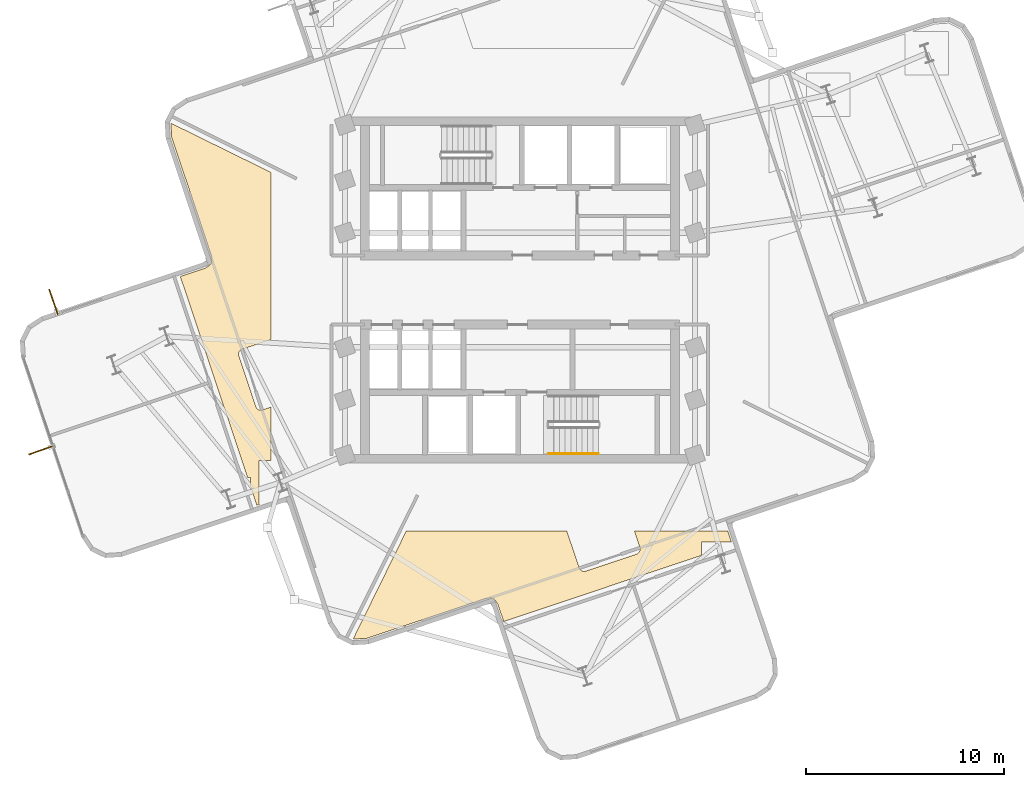
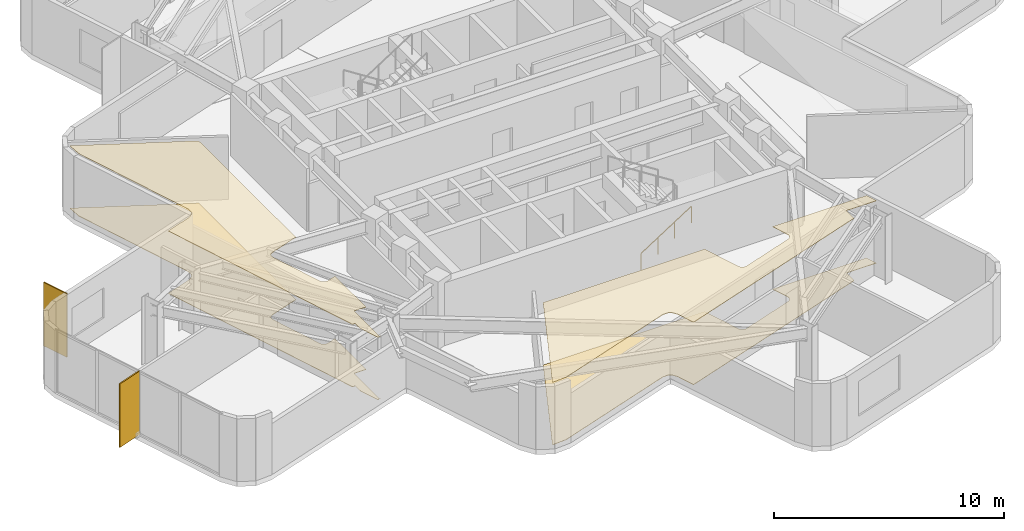
# One storey, part 10 of 12: 4 coverings, 2 shading devices, 1 railing.
"""IFC4 building model written with IfcOpenShell, lengths in metres."""

from ifc_helpers import new_model, si_unit, direction, frame, origin, origin_2d, place, context, subcontext, project, spatial, polyline, rectangle, circle, outline, extrude, material, layer, layer_set, type_object, element, save


model = new_model("IFC4")

# Units and contexts
model_context = context("Model", 3, precision=1e-05, world=origin(), true_north=direction((0.0, 1.0)))
body_context = subcontext(model_context, "Body", "Model", "MODEL_VIEW")
ifc_project = project(units=[si_unit("LENGTHUNIT", "METRE"), si_unit("AREAUNIT", "SQUARE_METRE"), si_unit("VOLUMEUNIT", "CUBIC_METRE"), si_unit("PLANEANGLEUNIT", "RADIAN"), si_unit("MASSUNIT", "GRAM", prefix="KILO")], contexts=[model_context])

# Site, building, storey
site_placement = place(None, origin())
site = spatial("IfcSite", under=ifc_project, at=site_placement, CompositionType="ELEMENT")
building_placement = place(site_placement, origin())
building = spatial("IfcBuilding", under=site, at=building_placement, Name="Solmarez Civic Tower", CompositionType="ELEMENT")
storey_placement = place(building_placement, frame((0.0, 0.0, 163.080078125)))
storey = spatial("IfcBuildingStorey", under=building, at=storey_placement, Name="L43", CompositionType="ELEMENT", Elevation=163.080078125)

# Coverings
ifc_material_1 = material(Name="Perforated Mineral-Fibre Acoustic Ceiling")
ifc_layer_1 = layer(ifc_material_1, 0.02490234375)
ifc_layer_set_1 = layer_set([ifc_layer_1], Name="Perforated Mineral-Fibre Acoustic Ceiling")
covering_type_1 = type_object("IfcCoveringType", Name="COV-CEIL-ACOUSTIC", PredefinedType="CEILING", material=ifc_layer_set_1)
covering_1_placement = place(storey_placement, frame((0.0, 0.0, 3.31494140625)))
element("IfcCovering", 1, at=covering_1_placement, inside=storey, type_object=covering_type_1, Name="L43 Suspended Acoustic Ceiling 2", PredefinedType="CEILING", context=body_context, shape_type="SweptSolid", body=[
    extrude(outline(polyline([(3.072021484375, -14.1650390625), (3.06201171875, -14.156982421875), (3.048095703125, -14.14306640625), (3.034912109375, -14.126953125), (3.02294921875, -14.111083984375), (3.01806640625, -14.10302734375), (3.00390625, -14.074951171875), (3.0, -14.06591796875), (2.991943359375, -14.047119140625), (2.3740234375, -12.199951171875), (-5.75390625, -12.199951171875), (-8.43505859375, -17.65087890625), (-8.428955078125, -17.654052734375), (-7.720947265625, -17.610107421875), (-1.748046875, -15.611083984375), (-1.738037109375, -15.60791015625), (-1.73095703125, -15.60595703125), (-1.701904296875, -15.60009765625), (-1.695068359375, -15.59912109375), (-1.68798828125, -15.597900390625), (-1.6708984375, -15.595947265625), (-1.4990234375, -15.5849609375), (-1.485107421875, -15.5849609375), (-1.47802734375, -15.5849609375), (-1.450927734375, -15.5869140625), (-1.43896484375, -15.587890625), (-1.431884765625, -15.589111328125), (-1.409912109375, -15.593994140625), (-1.402099609375, -15.595947265625), (-1.385009765625, -15.60107421875), (-1.367919921875, -15.60693359375), (-1.361083984375, -15.610107421875), (-1.35009765625, -15.614990234375), (-1.343994140625, -15.617919921875), (-1.3330078125, -15.6240234375), (-1.325927734375, -15.6279296875), (-1.31005859375, -15.637939453125), (-1.2939453125, -15.64990234375), (-1.2880859375, -15.655029296875), (-1.281982421875, -15.659912109375), (-1.26708984375, -15.673095703125), (-1.25390625, -15.68798828125), (-1.2490234375, -15.694091796875), (-1.235107421875, -15.712890625), (-1.23095703125, -15.718994140625), (-1.135986328125, -15.862060546875), (-1.132080078125, -15.867919921875), (-1.1220703125, -15.885009765625), (-1.113037109375, -15.903076171875), (-1.110107421875, -15.909912109375), (-1.10302734375, -15.927001953125), (-1.10107421875, -15.93310546875), (-0.822021484375, -16.76806640625), (9.18994140625, -13.4169921875), (9.18994140625, -12.75), (10.698974609375, -12.75), (10.513916015625, -12.199951171875), (5.7900390625, -12.199951171875), (6.06298828125, -13.01611328125), (6.068115234375, -13.030029296875), (6.072998046875, -13.050048828125), (6.073974609375, -13.054931640625), (6.076904296875, -13.075927734375), (6.077880859375, -13.097900390625), (6.077880859375, -13.10693359375), (6.076904296875, -13.12890625), (6.073974609375, -13.14990234375), (6.072998046875, -13.155029296875), (6.072021484375, -13.159912109375), (6.06494140625, -13.18701171875), (6.06201171875, -13.196044921875), (6.053955078125, -13.215087890625), (6.044921875, -13.23291015625), (6.0400390625, -13.241943359375), (6.030029296875, -13.259033203125), (6.01708984375, -13.27490234375), (6.00390625, -13.291015625), (5.9970703125, -13.298095703125), (5.97802734375, -13.31396484375), (5.9580078125, -13.3291015625), (5.949951171875, -13.333984375), (5.922119140625, -13.347900390625), (5.9130859375, -13.35205078125), (5.89404296875, -13.360107421875), (3.3359375, -14.216064453125), (3.322021484375, -14.220947265625), (3.302001953125, -14.22607421875), (3.297119140625, -14.22705078125), (3.27587890625, -14.22998046875), (3.25390625, -14.23095703125), (3.2451171875, -14.23095703125), (3.222900390625, -14.22998046875), (3.201904296875, -14.22705078125), (3.197021484375, -14.22607421875), (3.19189453125, -14.22509765625), (3.1650390625, -14.218017578125), (3.156005859375, -14.215087890625), (3.134033203125, -14.2060546875), (3.113037109375, -14.195068359375), (3.10791015625, -14.19189453125), (3.092041015625, -14.180908203125), (3.077880859375, -14.169921875), (3.072021484375, -14.1650390625)])), origin(), (0.0, 0.0, 1.0), 0.02490234375),
])
covering_2_placement = place(storey_placement, frame((0.0, 0.0, 3.31494140625)))
element("IfcCovering", 2, at=covering_2_placement, inside=storey, type_object=covering_type_1, Name="L43 Suspended Acoustic Ceiling 4", PredefinedType="CEILING", context=body_context, shape_type="SweptSolid", body=[
    extrude(outline(polyline([(-14.216064453125, -3.3359375), (-14.220947265625, -3.322021484375), (-14.22607421875, -3.302001953125), (-14.22705078125, -3.297119140625), (-14.22998046875, -3.27587890625), (-14.23095703125, -3.25390625), (-14.23095703125, -3.2451171875), (-14.22998046875, -3.222900390625), (-14.22705078125, -3.201904296875), (-14.22607421875, -3.197021484375), (-14.22509765625, -3.19189453125), (-14.218017578125, -3.1650390625), (-14.215087890625, -3.156005859375), (-14.2060546875, -3.134033203125), (-14.195068359375, -3.113037109375), (-14.19189453125, -3.10791015625), (-14.180908203125, -3.092041015625), (-14.169921875, -3.077880859375), (-14.1650390625, -3.072021484375), (-14.156982421875, -3.06201171875), (-14.14306640625, -3.048095703125), (-14.126953125, -3.034912109375), (-14.111083984375, -3.02294921875), (-14.10302734375, -3.01806640625), (-14.074951171875, -3.00390625), (-14.06591796875, -3.0), (-14.047119140625, -2.991943359375), (-12.60009765625, -2.508056640625), (-12.60009765625, 5.950927734375), (-17.65087890625, 8.43505859375), (-17.654052734375, 8.428955078125), (-17.610107421875, 7.720947265625), (-15.611083984375, 1.748046875), (-15.60791015625, 1.738037109375), (-15.60595703125, 1.73095703125), (-15.60009765625, 1.701904296875), (-15.59912109375, 1.695068359375), (-15.597900390625, 1.68798828125), (-15.595947265625, 1.6708984375), (-15.5849609375, 1.4990234375), (-15.5849609375, 1.485107421875), (-15.5849609375, 1.47802734375), (-15.5869140625, 1.450927734375), (-15.587890625, 1.43896484375), (-15.589111328125, 1.431884765625), (-15.593994140625, 1.409912109375), (-15.595947265625, 1.402099609375), (-15.60107421875, 1.385009765625), (-15.60693359375, 1.367919921875), (-15.610107421875, 1.361083984375), (-15.614990234375, 1.35009765625), (-15.617919921875, 1.343994140625), (-15.6240234375, 1.3330078125), (-15.6279296875, 1.325927734375), (-15.637939453125, 1.31005859375), (-15.64990234375, 1.2939453125), (-15.655029296875, 1.2880859375), (-15.659912109375, 1.281982421875), (-15.673095703125, 1.26708984375), (-15.68798828125, 1.25390625), (-15.694091796875, 1.2490234375), (-15.712890625, 1.235107421875), (-15.718994140625, 1.23095703125), (-15.862060546875, 1.135986328125), (-15.867919921875, 1.132080078125), (-15.885009765625, 1.1220703125), (-15.903076171875, 1.113037109375), (-15.909912109375, 1.110107421875), (-15.927001953125, 1.10302734375), (-15.93310546875, 1.10107421875), (-17.176025390625, 0.68603515625), (-13.77587890625, -9.472900390625), (-13.631103515625, -9.472900390625), (-13.631103515625, -9.906982421875), (-13.303955078125, -10.884033203125), (-13.14697265625, -10.8310546875), (-13.2060546875, -10.8310546875), (-13.2060546875, -8.631103515625), (-12.60009765625, -8.631103515625), (-12.60009765625, -5.924072265625), (-13.01611328125, -6.06298828125), (-13.030029296875, -6.068115234375), (-13.050048828125, -6.072998046875), (-13.054931640625, -6.073974609375), (-13.075927734375, -6.076904296875), (-13.097900390625, -6.077880859375), (-13.10693359375, -6.077880859375), (-13.12890625, -6.076904296875), (-13.14990234375, -6.073974609375), (-13.155029296875, -6.072998046875), (-13.159912109375, -6.072021484375), (-13.18701171875, -6.06494140625), (-13.196044921875, -6.06201171875), (-13.215087890625, -6.053955078125), (-13.23291015625, -6.044921875), (-13.241943359375, -6.0400390625), (-13.259033203125, -6.030029296875), (-13.27490234375, -6.01708984375), (-13.291015625, -6.00390625), (-13.298095703125, -5.9970703125), (-13.31396484375, -5.97802734375), (-13.3291015625, -5.9580078125), (-13.333984375, -5.949951171875), (-13.347900390625, -5.922119140625), (-13.35205078125, -5.9130859375), (-13.360107421875, -5.89404296875), (-14.216064453125, -3.3359375)])), origin(), (0.0, 0.0, 1.0), 0.02490234375),
])
ifc_material_2 = material(Name="Polished Tropical Stone Terrazzo Flooring", Category="masonry")
ifc_layer_2 = layer(ifc_material_2, 0.02001953125)
ifc_layer_set_2 = layer_set([ifc_layer_2], Name="Polished Tropical Stone Terrazzo Flooring")
covering_type_2 = type_object("IfcCoveringType", Name="COV-FLOOR-TERRAZZO", PredefinedType="FLOORING", material=ifc_layer_set_2)
covering_3_placement = place(storey_placement, origin())
element("IfcCovering", 3, at=covering_3_placement, inside=storey, type_object=covering_type_2, Name="L43 Terrazzo Floor Finish 2", PredefinedType="FLOORING", context=body_context, shape_type="SweptSolid", body=[
    extrude(outline(polyline([(3.072021484375, -14.1650390625), (3.06201171875, -14.156982421875), (3.048095703125, -14.14306640625), (3.034912109375, -14.126953125), (3.02294921875, -14.111083984375), (3.01806640625, -14.10302734375), (3.00390625, -14.074951171875), (3.0, -14.06591796875), (2.991943359375, -14.047119140625), (2.3740234375, -12.199951171875), (-5.75390625, -12.199951171875), (-8.43505859375, -17.65087890625), (-8.428955078125, -17.654052734375), (-7.720947265625, -17.610107421875), (-1.748046875, -15.611083984375), (-1.738037109375, -15.60791015625), (-1.73095703125, -15.60595703125), (-1.701904296875, -15.60009765625), (-1.695068359375, -15.59912109375), (-1.68798828125, -15.597900390625), (-1.6708984375, -15.595947265625), (-1.4990234375, -15.5849609375), (-1.485107421875, -15.5849609375), (-1.47802734375, -15.5849609375), (-1.450927734375, -15.5869140625), (-1.43896484375, -15.587890625), (-1.431884765625, -15.589111328125), (-1.409912109375, -15.593994140625), (-1.402099609375, -15.595947265625), (-1.385009765625, -15.60107421875), (-1.367919921875, -15.60693359375), (-1.361083984375, -15.610107421875), (-1.35009765625, -15.614990234375), (-1.343994140625, -15.617919921875), (-1.3330078125, -15.6240234375), (-1.325927734375, -15.6279296875), (-1.31005859375, -15.637939453125), (-1.2939453125, -15.64990234375), (-1.2880859375, -15.655029296875), (-1.281982421875, -15.659912109375), (-1.26708984375, -15.673095703125), (-1.25390625, -15.68798828125), (-1.2490234375, -15.694091796875), (-1.235107421875, -15.712890625), (-1.23095703125, -15.718994140625), (-1.135986328125, -15.862060546875), (-1.132080078125, -15.867919921875), (-1.1220703125, -15.885009765625), (-1.113037109375, -15.903076171875), (-1.110107421875, -15.909912109375), (-1.10302734375, -15.927001953125), (-1.10107421875, -15.93310546875), (-0.822021484375, -16.76806640625), (9.18994140625, -13.4169921875), (9.18994140625, -12.75), (10.698974609375, -12.75), (10.513916015625, -12.199951171875), (5.7900390625, -12.199951171875), (6.06298828125, -13.01611328125), (6.068115234375, -13.030029296875), (6.072998046875, -13.050048828125), (6.073974609375, -13.054931640625), (6.076904296875, -13.075927734375), (6.077880859375, -13.097900390625), (6.077880859375, -13.10693359375), (6.076904296875, -13.12890625), (6.073974609375, -13.14990234375), (6.072998046875, -13.155029296875), (6.072021484375, -13.159912109375), (6.06494140625, -13.18701171875), (6.06201171875, -13.196044921875), (6.053955078125, -13.215087890625), (6.044921875, -13.23291015625), (6.0400390625, -13.241943359375), (6.030029296875, -13.259033203125), (6.01708984375, -13.27490234375), (6.00390625, -13.291015625), (5.9970703125, -13.298095703125), (5.97802734375, -13.31396484375), (5.9580078125, -13.3291015625), (5.949951171875, -13.333984375), (5.922119140625, -13.347900390625), (5.9130859375, -13.35205078125), (5.89404296875, -13.360107421875), (3.3359375, -14.216064453125), (3.322021484375, -14.220947265625), (3.302001953125, -14.22607421875), (3.297119140625, -14.22705078125), (3.27587890625, -14.22998046875), (3.25390625, -14.23095703125), (3.2451171875, -14.23095703125), (3.222900390625, -14.22998046875), (3.201904296875, -14.22705078125), (3.197021484375, -14.22607421875), (3.19189453125, -14.22509765625), (3.1650390625, -14.218017578125), (3.156005859375, -14.215087890625), (3.134033203125, -14.2060546875), (3.113037109375, -14.195068359375), (3.10791015625, -14.19189453125), (3.092041015625, -14.180908203125), (3.077880859375, -14.169921875), (3.072021484375, -14.1650390625)])), origin(), (0.0, 0.0, 1.0), 0.02001953125),
])
covering_4_placement = place(storey_placement, origin())
element("IfcCovering", 4, at=covering_4_placement, inside=storey, type_object=covering_type_2, Name="L43 Terrazzo Floor Finish 4", PredefinedType="FLOORING", context=body_context, shape_type="SweptSolid", body=[
    extrude(outline(polyline([(-14.216064453125, -3.3359375), (-14.220947265625, -3.322021484375), (-14.22607421875, -3.302001953125), (-14.22705078125, -3.297119140625), (-14.22998046875, -3.27587890625), (-14.23095703125, -3.25390625), (-14.23095703125, -3.2451171875), (-14.22998046875, -3.222900390625), (-14.22705078125, -3.201904296875), (-14.22607421875, -3.197021484375), (-14.22509765625, -3.19189453125), (-14.218017578125, -3.1650390625), (-14.215087890625, -3.156005859375), (-14.2060546875, -3.134033203125), (-14.195068359375, -3.113037109375), (-14.19189453125, -3.10791015625), (-14.180908203125, -3.092041015625), (-14.169921875, -3.077880859375), (-14.1650390625, -3.072021484375), (-14.156982421875, -3.06201171875), (-14.14306640625, -3.048095703125), (-14.126953125, -3.034912109375), (-14.111083984375, -3.02294921875), (-14.10302734375, -3.01806640625), (-14.074951171875, -3.00390625), (-14.06591796875, -3.0), (-14.047119140625, -2.991943359375), (-12.60009765625, -2.508056640625), (-12.60009765625, 5.950927734375), (-17.65087890625, 8.43505859375), (-17.654052734375, 8.428955078125), (-17.610107421875, 7.720947265625), (-15.611083984375, 1.748046875), (-15.60791015625, 1.738037109375), (-15.60595703125, 1.73095703125), (-15.60009765625, 1.701904296875), (-15.59912109375, 1.695068359375), (-15.597900390625, 1.68798828125), (-15.595947265625, 1.6708984375), (-15.5849609375, 1.4990234375), (-15.5849609375, 1.485107421875), (-15.5849609375, 1.47802734375), (-15.5869140625, 1.450927734375), (-15.587890625, 1.43896484375), (-15.589111328125, 1.431884765625), (-15.593994140625, 1.409912109375), (-15.595947265625, 1.402099609375), (-15.60107421875, 1.385009765625), (-15.60693359375, 1.367919921875), (-15.610107421875, 1.361083984375), (-15.614990234375, 1.35009765625), (-15.617919921875, 1.343994140625), (-15.6240234375, 1.3330078125), (-15.6279296875, 1.325927734375), (-15.637939453125, 1.31005859375), (-15.64990234375, 1.2939453125), (-15.655029296875, 1.2880859375), (-15.659912109375, 1.281982421875), (-15.673095703125, 1.26708984375), (-15.68798828125, 1.25390625), (-15.694091796875, 1.2490234375), (-15.712890625, 1.235107421875), (-15.718994140625, 1.23095703125), (-15.862060546875, 1.135986328125), (-15.867919921875, 1.132080078125), (-15.885009765625, 1.1220703125), (-15.903076171875, 1.113037109375), (-15.909912109375, 1.110107421875), (-15.927001953125, 1.10302734375), (-15.93310546875, 1.10107421875), (-17.176025390625, 0.68603515625), (-13.77587890625, -9.472900390625), (-13.631103515625, -9.472900390625), (-13.631103515625, -9.906982421875), (-13.303955078125, -10.884033203125), (-13.14697265625, -10.8310546875), (-13.2060546875, -10.8310546875), (-13.2060546875, -8.631103515625), (-12.60009765625, -8.631103515625), (-12.60009765625, -5.924072265625), (-13.01611328125, -6.06298828125), (-13.030029296875, -6.068115234375), (-13.050048828125, -6.072998046875), (-13.054931640625, -6.073974609375), (-13.075927734375, -6.076904296875), (-13.097900390625, -6.077880859375), (-13.10693359375, -6.077880859375), (-13.12890625, -6.076904296875), (-13.14990234375, -6.073974609375), (-13.155029296875, -6.072998046875), (-13.159912109375, -6.072021484375), (-13.18701171875, -6.06494140625), (-13.196044921875, -6.06201171875), (-13.215087890625, -6.053955078125), (-13.23291015625, -6.044921875), (-13.241943359375, -6.0400390625), (-13.259033203125, -6.030029296875), (-13.27490234375, -6.01708984375), (-13.291015625, -6.00390625), (-13.298095703125, -5.9970703125), (-13.31396484375, -5.97802734375), (-13.3291015625, -5.9580078125), (-13.333984375, -5.949951171875), (-13.347900390625, -5.922119140625), (-13.35205078125, -5.9130859375), (-13.360107421875, -5.89404296875), (-14.216064453125, -3.3359375)])), origin(), (0.0, 0.0, 1.0), 0.02001953125),
])

# Shading devices
ifc_material_3 = material(Name="Bronze Anodised Aluminium EN AW-6063 T6", Category="aluminium")
ifc_layer_3 = layer(ifc_material_3, 0.06005859375)
ifc_layer_set_3 = layer_set([ifc_layer_3], Name="Bronze Anodised Aluminium EN AW-6063 T6")
shading_device_type = type_object("IfcShadingDeviceType", Name="FIN-BRONZE-Z34", PredefinedType="USERDEFINED", material=ifc_layer_set_3)
for number, where, z_axis, x_axis, name in (
    (5, (-24.196044921875, -8.095947265625, -0.0400390625), (0.0, 0.0, 1.0), (-0.944663000898, -0.328042397768, 0.0), "L43 Anodised Bronze Solar Fin FIN-L43-01"),
    (6, (-23.589111328125, -0.60107421875, -0.0400390625), (0.0, 0.0, 1.0), (-0.328025910238, 0.944668726175, 0.0), "L43 Anodised Bronze Solar Fin FIN-L43-02"),
):
    element("IfcShadingDevice", number, at=place(storey_placement, frame(where, z_axis=z_axis, x_axis=x_axis)), inside=storey, type_object=shading_device_type, Name=name, ObjectType="FIN", PredefinedType="USERDEFINED", context=body_context, shape_type="SweptSolid", body=[
        extrude(rectangle(XDim=1.35009765625, YDim=0.06005859375, at=origin_2d()), origin(), (0.0, 0.0, 1.0), 3.3798828125),
    ])

# Railing
ifc_material_4 = material(Name="Brushed Stainless Steel Tube Handrail", Category="steel")
railing_type = type_object("IfcRailingType", Name="HANDRAIL-STAIR-900", PredefinedType="HANDRAIL", material=ifc_material_4)
railing_placement = place(storey_placement, frame((1.449951171875, -8.27001953125, 0.179931640625)))
element("IfcRailing", 7, at=railing_placement, inside=storey, type_object=railing_type, Name="L43 ST-2 stair handrail 1", PredefinedType="HANDRAIL", context=body_context, shape_type="SweptSolid", body=[
    extrude(circle(Radius=0.02392578125, at=origin_2d()), frame((0.0, 0.0, 0.8759765625), z_axis=(0.841199657755, 0.0, 0.540724639528), x_axis=(0.0, 1.0, 0.0)), (0.0, 0.0, 1.0), 2.995849609375),
    extrude(circle(Radius=0.02099609375, at=origin_2d()), origin(), (0.0, 0.0, 1.0), 0.851806640625),
    extrude(circle(Radius=0.02099609375, at=origin_2d()), frame((0.840087890625, 0.0, 0.5400390625)), (0.0, 0.0, 1.0), 0.851806640625),
    extrude(circle(Radius=0.02099609375, at=origin_2d()), frame((1.679931640625, 0.0, 1.079833984375)), (0.0, 0.0, 1.0), 0.851806640625),
    extrude(circle(Radius=0.02099609375, at=origin_2d()), frame((2.52001953125, 0.0, 1.619873046875)), (0.0, 0.0, 1.0), 0.851806640625),
])

save(model, "model.ifc")
